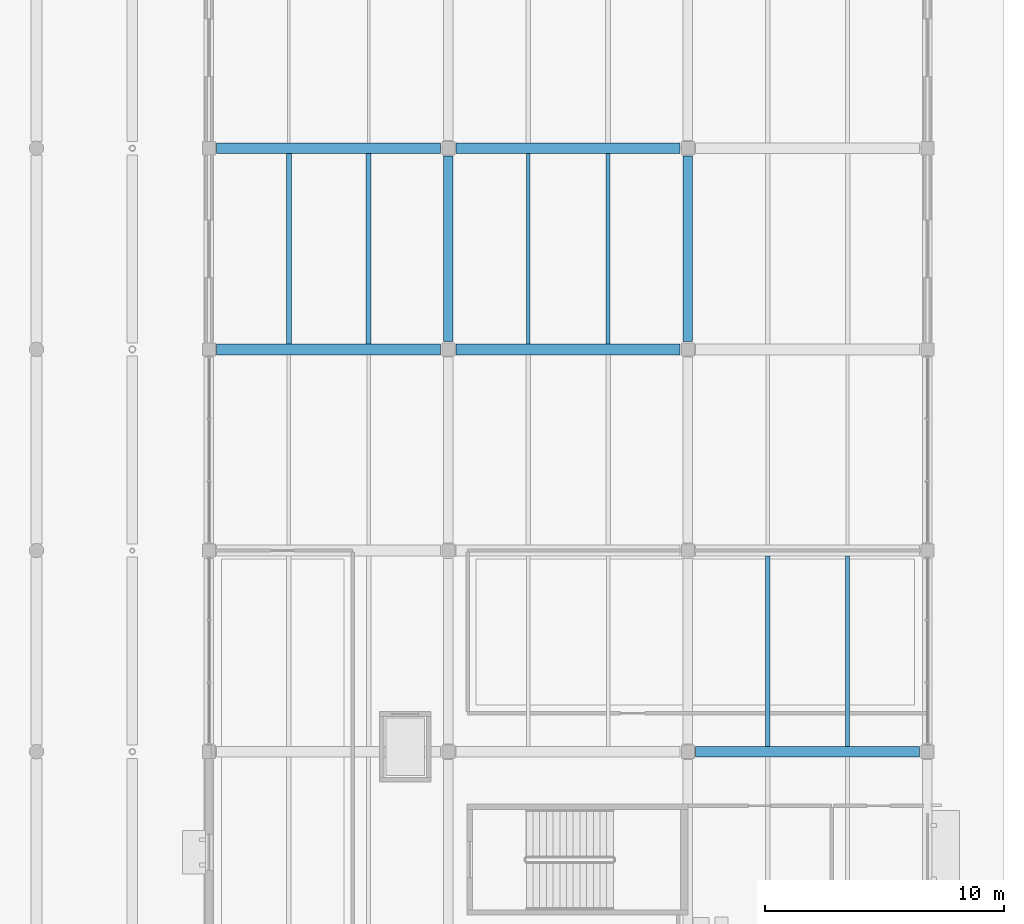
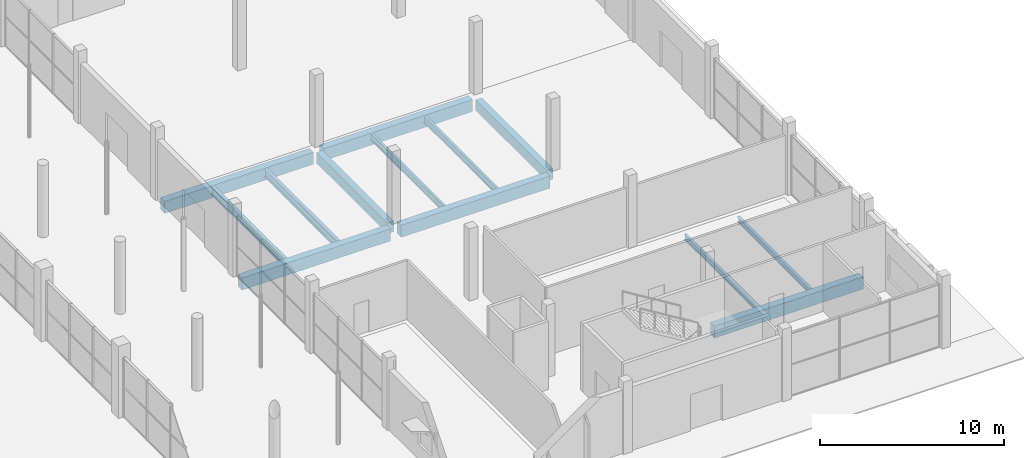
# One storey, part 68 of 130: 13 beams.
"""IFC4 building model written with IfcOpenShell, lengths in metres."""

from ifc_helpers import new_model, si_unit, direction, frame, origin, origin_2d, place, context, subcontext, project, spatial, rectangle, i_section, extrude, material, material_profile, profile_set, type_object, element, save


model = new_model("IFC4")

# Units and contexts
model_context = context("Model", 3, precision=1e-05, world=origin(), true_north=direction((0.0, 1.0)))
body_context = subcontext(model_context, "Body", "Model", "MODEL_VIEW")
ifc_project = project(units=[si_unit("LENGTHUNIT", "METRE"), si_unit("AREAUNIT", "SQUARE_METRE"), si_unit("VOLUMEUNIT", "CUBIC_METRE"), si_unit("PLANEANGLEUNIT", "RADIAN"), si_unit("MASSUNIT", "GRAM", prefix="KILO"), si_unit("THERMODYNAMICTEMPERATUREUNIT", "KELVIN")], contexts=[model_context])

# Site, building, storey
site_placement = place(None, origin())
site = spatial("IfcSite", under=ifc_project, at=site_placement, CompositionType="ELEMENT")
building_placement = place(site_placement, origin())
building = spatial("IfcBuilding", under=site, at=building_placement, Name="Nduvali Passage Aquatics Centre", CompositionType="ELEMENT")
storey_placement = place(building_placement, origin())
storey = spatial("IfcBuildingStorey", under=building, at=storey_placement, Name="L00", CompositionType="ELEMENT", Elevation=0.0)

# Beams
ifc_material_1 = material(Name="Concrete C40/50", Category="concrete")
ifc_material_profile_1 = material_profile(ifc_material_1, rectangle(XDim=0.39990234375, YDim=0.699951171875, at=origin_2d()), Name="RC 400x700")
ifc_profile_set_1 = profile_set([ifc_material_profile_1], Name="Concrete C40/50")
beam_type_1 = type_object("IfcBeamType", Name="STR-BM-RC4070", PredefinedType="BEAM", material=ifc_profile_set_1)
for number, where, z_axis, x_axis, name in (
    (1, (148.0, 50.72509765625, -0.64990234375), (0.0, 1.0, 0.0), (-1.0, 0.0, 0.0), "L00 Primary Y-Girder B3A-0234"),
    (2, (158.0, 50.72509765625, -0.64990234375), (0.0, 1.0, 0.0), (-1.0, 0.0, 0.0), "L00 Primary Y-Girder B3A-0242"),
):
    element("IfcBeam", number, at=place(storey_placement, frame(where, z_axis=z_axis, x_axis=x_axis)), inside=storey, type_object=beam_type_1, Name=name, PredefinedType="BEAM", context=body_context, shape_type="SweptSolid", body=[
        extrude(rectangle(XDim=0.39990234375, YDim=0.699951171875, at=origin_2d()), origin(), (0.0, 0.0, 1.0), 7.75),
    ])
ifc_material_profile_2 = material_profile(ifc_material_1, rectangle(XDim=0.449951171875, YDim=0.800048828125, at=origin_2d()), Name="RC 450x800")
ifc_profile_set_2 = profile_set([ifc_material_profile_2], Name="Concrete C40/50")
beam_type_2 = type_object("IfcBeamType", Name="STR-BM-RC4580", PredefinedType="BEAM", material=ifc_profile_set_2)
for number, where, z_axis, x_axis, name in (
    (3, (158.324951171875, 33.60009765625, -0.699951171875), (1.0, 0.0, 0.0), (0.0, 1.0, 0.0), "L00 Primary X-Girder B2A-0037"),
    (4, (138.324951171875, 50.39990234375, -0.699951171875), (1.0, 0.0, 0.0), (0.0, 1.0, 0.0), "L00 Primary X-Girder B2A-0051"),
    (5, (148.324951171875, 50.39990234375, -0.699951171875), (1.0, 0.0, 0.0), (0.0, 1.0, 0.0), "L00 Primary X-Girder B2A-0052"),
    (6, (138.324951171875, 58.800048828125, -0.699951171875), (1.0, 0.0, 0.0), (0.0, 1.0, 0.0), "L00 Primary X-Girder B2A-0054"),
    (7, (148.324951171875, 58.800048828125, -0.699951171875), (1.0, 0.0, 0.0), (0.0, 1.0, 0.0), "L00 Primary X-Girder B2A-0055"),
):
    element("IfcBeam", number, at=place(storey_placement, frame(where, z_axis=z_axis, x_axis=x_axis)), inside=storey, type_object=beam_type_2, Name=name, PredefinedType="BEAM", context=body_context, shape_type="SweptSolid", body=[
        extrude(rectangle(XDim=0.449951171875, YDim=0.800048828125, at=origin_2d()), origin(), (0.0, 0.0, 1.0), 9.35009765625),
    ])
ifc_material_2 = material(Name="Steel S355", Category="steel")
ifc_material_profile_3 = material_profile(ifc_material_2, i_section(OverallWidth=0.169921875, OverallDepth=0.360107421875, WebThickness=0.008056640625, FlangeThickness=0.0126953125, FilletRadius=0.01806640625, at=origin_2d()), Name="IPE 360")
ifc_profile_set_3 = profile_set([ifc_material_profile_3], Name="Steel S355")
beam_type_3 = type_object("IfcBeamType", Name="STR-JST-IPE360", PredefinedType="JOIST", material=ifc_profile_set_3)
for number, where, z_axis, x_axis, name in (
    (8, (161.333251953125, 33.824951171875, -0.48388671875), (0.0, 1.0, 0.0), (-1.0, 0.0, 0.0), "L00 Secondary Joist J6-0333"),
    (9, (164.666748046875, 33.824951171875, -0.48388671875), (0.0, 1.0, 0.0), (-1.0, 0.0, 0.0), "L00 Secondary Joist J6-0334"),
):
    element("IfcBeam", number, at=place(storey_placement, frame(where, z_axis=z_axis, x_axis=x_axis)), inside=storey, type_object=beam_type_3, Name=name, PredefinedType="JOIST", context=body_context, shape_type="SweptSolid", body=[
        extrude(i_section(OverallWidth=0.169921875, OverallDepth=0.360107421875, WebThickness=0.008056640625, FlangeThickness=0.0126953125, FilletRadius=0.01806640625, at=origin_2d()), origin(), (0.0, 0.0, 1.0), 7.949951171875),
    ])
ifc_material_profile_4 = material_profile(ifc_material_2, i_section(OverallWidth=0.2099609375, OverallDepth=0.550048828125, WebThickness=0.010986328125, FlangeThickness=0.01708984375, FilletRadius=0.02392578125, at=origin_2d()), Name="IPE 550")
ifc_profile_set_4 = profile_set([ifc_material_profile_4], Name="Steel S355")
beam_type_4 = type_object("IfcBeamType", Name="STR-JST-IPE550", PredefinedType="JOIST", material=ifc_profile_set_4)
for number, where, z_axis, x_axis, name in (
    (10, (141.333251953125, 50.625, -0.5791015625), (0.0, 1.0, 0.0), (-1.0, 0.0, 0.0), "L00 Secondary Joist J5C-0341"),
    (11, (144.666748046875, 50.625, -0.5791015625), (0.0, 1.0, 0.0), (-1.0, 0.0, 0.0), "L00 Secondary Joist J5C-0342"),
):
    element("IfcBeam", number, at=place(storey_placement, frame(where, z_axis=z_axis, x_axis=x_axis)), inside=storey, type_object=beam_type_4, Name=name, PredefinedType="JOIST", context=body_context, shape_type="SweptSolid", body=[
        extrude(i_section(OverallWidth=0.2099609375, OverallDepth=0.550048828125, WebThickness=0.010986328125, FlangeThickness=0.01708984375, FilletRadius=0.02392578125, at=origin_2d()), origin(), (0.0, 0.0, 1.0), 7.949951171875),
    ])
ifc_material_profile_5 = material_profile(ifc_material_2, i_section(OverallWidth=0.15283203125, OverallDepth=0.45458984375, WebThickness=0.008056640625, FlangeThickness=0.01318359375, FilletRadius=0.01025390625, at=origin_2d()), Name="UKB 457x152x60")
ifc_profile_set_5 = profile_set([ifc_material_profile_5], Name="Steel S355")
beam_type_5 = type_object("IfcBeamType", Name="STR-JST-UKB457L", PredefinedType="JOIST", material=ifc_profile_set_5)
for number, where, z_axis, x_axis, name in (
    (12, (151.333251953125, 50.625, -0.53125), (0.0, 1.0, 0.0), (-1.0, 0.0, 0.0), "L00 Secondary Joist J1A-0343"),
    (13, (154.666748046875, 50.625, -0.53125), (0.0, 1.0, 0.0), (-1.0, 0.0, 0.0), "L00 Secondary Joist J1A-0344"),
):
    element("IfcBeam", number, at=place(storey_placement, frame(where, z_axis=z_axis, x_axis=x_axis)), inside=storey, type_object=beam_type_5, Name=name, PredefinedType="JOIST", context=body_context, shape_type="SweptSolid", body=[
        extrude(i_section(OverallWidth=0.15283203125, OverallDepth=0.45458984375, WebThickness=0.008056640625, FlangeThickness=0.01318359375, FilletRadius=0.01025390625, at=origin_2d()), origin(), (0.0, 0.0, 1.0), 7.949951171875),
    ])

save(model, "model.ifc")
